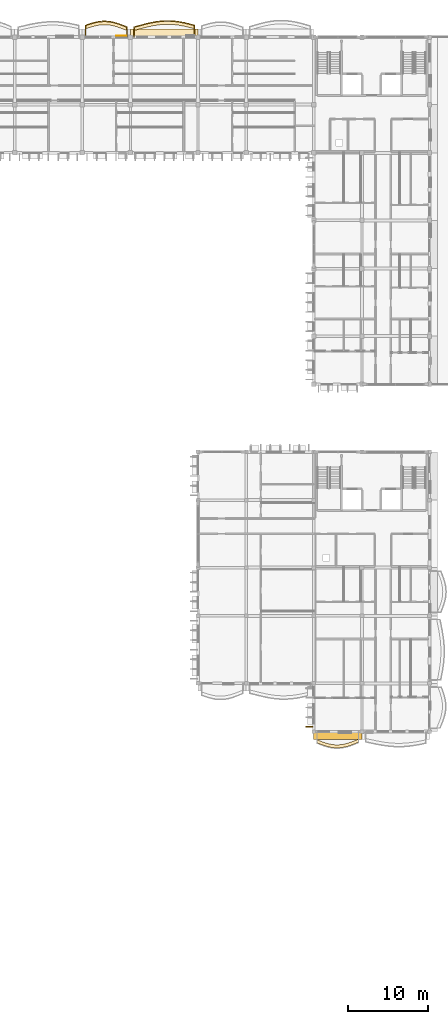
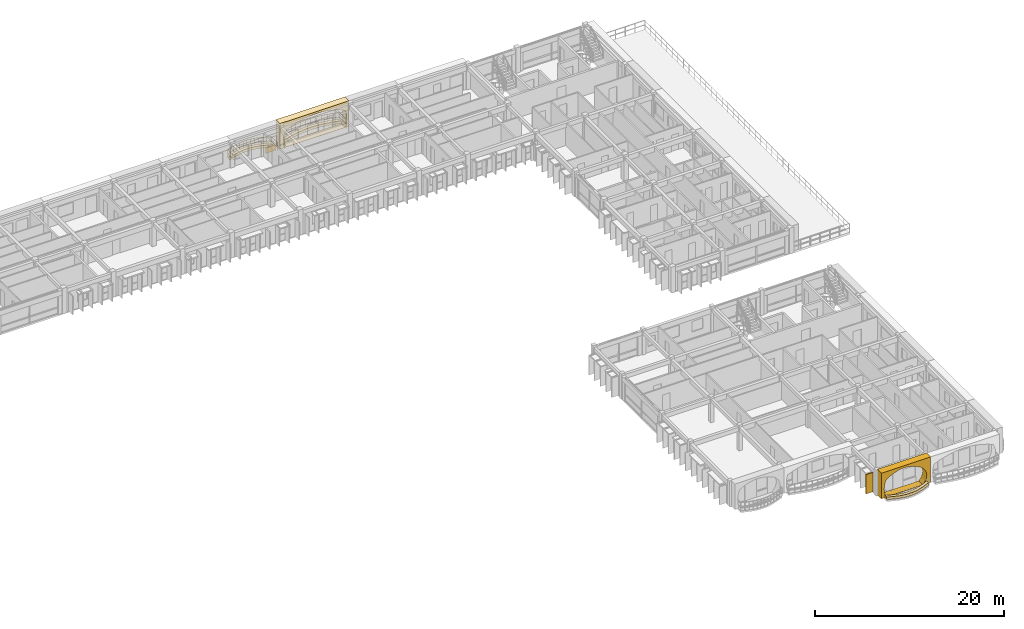
# One storey, part 61 of 68: 7 coverings, 2 railings.
"""IFC4 building model written with IfcOpenShell, lengths in metres."""

from ifc_helpers import new_model, si_unit, direction, frame, origin, origin_2d, place, context, subcontext, project, spatial, polyline, rectangle, outline, extrude, material, layer, layer_set, type_object, element, save


model = new_model("IFC4")

# Units and contexts
model_context = context("Model", 3, precision=1e-05, world=origin(), true_north=direction((0.0, 1.0)))
body_context = subcontext(model_context, "Body", "Model", "MODEL_VIEW")
ifc_project = project(units=[si_unit("LENGTHUNIT", "METRE"), si_unit("AREAUNIT", "SQUARE_METRE"), si_unit("VOLUMEUNIT", "CUBIC_METRE"), si_unit("PLANEANGLEUNIT", "RADIAN"), si_unit("MASSUNIT", "GRAM", prefix="KILO"), si_unit("THERMODYNAMICTEMPERATUREUNIT", "KELVIN")], contexts=[model_context])

# Site, building, storey
site_placement = place(None, origin())
site = spatial("IfcSite", under=ifc_project, at=site_placement, CompositionType="ELEMENT")
building_placement = place(site_placement, origin())
building = spatial("IfcBuilding", under=site, at=building_placement, Name="Thalorik Housing Commons", CompositionType="ELEMENT")
storey_placement = place(building_placement, frame((0.0, 0.0, 24.60009765625)))
storey = spatial("IfcBuildingStorey", under=building, at=storey_placement, Name="L07", CompositionType="ELEMENT", Elevation=24.60009765625)

# Coverings
ifc_material_1 = material(Name="Precast concrete C40/50", Category="concrete")
ifc_layer_1 = layer(ifc_material_1, 0.85009765625, Name="Precast concrete C40/50", Category="concrete")
ifc_layer_set_1 = layer_set([ifc_layer_1], Name="Precast concrete C40/50")
covering_type_1 = type_object("IfcCoveringType", Name="ARC-CLD-CUSH-850", PredefinedType="CLADDING", material=ifc_layer_set_1)
covering_1_placement = place(storey_placement, frame((133.800048828125, 124.155029296875, 0.0), z_axis=(0.0, 0.0, 1.0), x_axis=(-1.0, 0.0, 0.0)))
element("IfcCovering", 1, at=covering_1_placement, inside=storey, type_object=covering_type_1, Name="L07 White Precast Curved Cushion Bay Frame 2563", PredefinedType="CLADDING", context=body_context, shape_type="SweptSolid", body=[
    extrude(outline(polyline([(-4.199951171875, 0.0), (4.199951171875, 0.0), (4.199951171875, 3.300048828125), (-4.199951171875, 3.300048828125), (-4.199951171875, 0.0)]), holes=[polyline([(3.41259765625, 0.02490234375), (3.60009765625, 0.390869140625), (3.71240234375, 0.756591796875), (3.75, 1.12255859375), (3.71240234375, 1.48828125), (3.60009765625, 1.854248046875), (3.41259765625, 2.219970703125), (2.814453125, 2.469482421875), (2.21630859375, 2.66552734375), (1.6181640625, 2.824462890625), (1.02001953125, 2.9423828125), (0.421875, 3.015380859375), (-0.17626953125, 3.0400390625), (-0.7744140625, 3.015380859375), (-1.37255859375, 2.9423828125), (-1.970703125, 2.824462890625), (-2.56884765625, 2.66552734375), (-3.1669921875, 2.469482421875), (-3.764892578125, 2.219970703125), (-3.856689453125, 1.854248046875), (-3.911865234375, 1.48828125), (-3.930419921875, 1.12255859375), (-3.911865234375, 0.756591796875), (-3.856689453125, 0.390869140625), (-3.764892578125, 0.02490234375), (3.41259765625, 0.02490234375)])]), frame((0.0, 0.425048828125, 0.0), z_axis=(0.0, -1.0, 0.0), x_axis=(1.0, 0.0, 0.0)), (0.0, 0.0, 1.0), 0.85009765625),
])
covering_2_placement = place(storey_placement, frame((155.39990234375, 36.657470703125, 0.0), z_axis=(0.0, 0.0, 1.0), x_axis=(1.0, 0.0, 0.0)))
element("IfcCovering", 2, at=covering_2_placement, inside=storey, type_object=covering_type_1, Name="L07 White Precast Curved Cushion Bay Frame 5030", PredefinedType="CLADDING", context=body_context, shape_type="SweptSolid", body=[
    extrude(outline(polyline([(-3.0, 0.0), (3.0, 0.0), (3.0, 3.300048828125), (-3.0, 3.300048828125), (-3.0, 0.0)]), holes=[polyline([(2.0400390625, 0.02490234375), (2.3232421875, 0.390869140625), (2.493408203125, 0.756591796875), (2.550048828125, 1.12255859375), (2.493408203125, 1.48828125), (2.3232421875, 1.854248046875), (2.0400390625, 2.219970703125), (1.66748046875, 2.469482421875), (1.294921875, 2.66552734375), (0.922607421875, 2.824462890625), (0.550048828125, 2.9423828125), (0.177490234375, 3.015380859375), (-0.195068359375, 3.0400390625), (-0.5673828125, 3.015380859375), (-0.93994140625, 2.9423828125), (-1.3125, 2.824462890625), (-1.68505859375, 2.66552734375), (-2.0576171875, 2.469482421875), (-2.429931640625, 2.219970703125), (-2.55029296875, 1.854248046875), (-2.62255859375, 1.48828125), (-2.646484375, 1.12255859375), (-2.62255859375, 0.756591796875), (-2.55029296875, 0.390869140625), (-2.429931640625, 0.02490234375), (2.0400390625, 0.02490234375)])]), frame((0.0, 0.425048828125, 0.0), z_axis=(0.0, -1.0, 0.0), x_axis=(1.0, 0.0, 0.0)), (0.0, 0.0, 1.0), 0.85009765625),
])
ifc_layer_2 = layer(ifc_material_1, 0.85009765625, Name="Precast concrete C40/50", Category="concrete")
ifc_layer_set_2 = layer_set([ifc_layer_2], Name="Precast concrete C40/50")
covering_type_2 = type_object("IfcCoveringType", Name="ARC-CLD-FIN-850", PredefinedType="CLADDING", material=ifc_layer_set_2)
covering_3_placement = place(storey_placement, frame((151.857421875, 37.800048828125, 0.039794921875), z_axis=(0.0, 0.0, 1.0), x_axis=(0.0, -1.0, 0.0)))
element("IfcCovering", 3, at=covering_3_placement, inside=storey, type_object=covering_type_2, Name="L07 Courtyard Precast Vertical Brise-Soleil Fin 5027", PredefinedType="CLADDING", context=body_context, shape_type="SweptSolid", body=[
    extrude(rectangle(XDim=0.110107421875, YDim=0.85009765625, at=origin_2d()), origin(), (0.0, 0.0, 1.0), 2.4951171875),
])
ifc_material_2 = material(Name="Terracotta red mineral fibre-cement panel", Category="masonry")
ifc_layer_3 = layer(ifc_material_2, 0.054931640625, Name="Terracotta red mineral fibre-cement panel", Category="masonry")
ifc_layer_set_3 = layer_set([ifc_layer_3], Name="Terracotta red mineral fibre-cement panel")
covering_type_3 = type_object("IfcCoveringType", Name="ARC-CLD-RED-55", PredefinedType="CLADDING", material=ifc_layer_set_3)
covering_4_placement = place(storey_placement, frame((128.44970703125, 123.762451171875, 0.0498046875), z_axis=(0.0, 0.0, 1.0), x_axis=(-1.0, 0.0, 0.0)))
element("IfcCovering", 4, at=covering_4_placement, inside=storey, type_object=covering_type_3, Name="L07 De Stijl Recessed Window Spandrel 2566", PredefinedType="CLADDING", context=body_context, shape_type="SweptSolid", body=[
    extrude(rectangle(XDim=1.199951171875, YDim=0.054931640625, at=origin_2d()), origin(), (0.0, 0.0, 1.0), 0.699951171875),
])
ifc_material_3 = material(Name="Planted vegetated substrate and terracotta trough", Category="masonry")
ifc_layer_4 = layer(ifc_material_3, 0.340087890625, Name="Planted vegetated substrate and terracotta trough", Category="masonry")
ifc_layer_set_4 = layer_set([ifc_layer_4], Name="Planted vegetated substrate and terracotta trough")
covering_type_4 = type_object("IfcCoveringType", Name="ARC-COV-PLANTER", PredefinedType="USERDEFINED", material=ifc_layer_set_4)
covering_5_placement = place(storey_placement, origin())
element("IfcCovering", 5, at=covering_5_placement, inside=storey, type_object=covering_type_4, Name="L07 Balcony Slab-Edge Planted Trough 5508", ObjectType="PLANTER", PredefinedType="USERDEFINED", context=body_context, shape_type="SweptSolid", body=[
    extrude(outline(polyline([(129.179931640625, 124.79150390625), (128.75, 124.96142578125), (128.320068359375, 125.123779296875), (127.889892578125, 125.268310546875), (127.4599609375, 125.385498046875), (127.030029296875, 125.468017578125), (126.60009765625, 125.510986328125), (126.169921875, 125.51220703125), (125.739990234375, 125.47265625), (125.31005859375, 125.395263671875), (124.8798828125, 125.2861328125), (124.449951171875, 125.1533203125), (124.02001953125, 125.00634765625), (124.02001953125, 124.62646484375), (124.449951171875, 124.7734375), (124.8798828125, 124.90625), (125.31005859375, 125.01513671875), (125.739990234375, 125.092529296875), (126.169921875, 125.13232421875), (126.60009765625, 125.131103515625), (127.030029296875, 125.087890625), (127.4599609375, 125.00537109375), (127.889892578125, 124.88818359375), (128.320068359375, 124.743896484375), (128.75, 124.581298828125), (129.179931640625, 124.41162109375), (129.179931640625, 124.79150390625)])), origin(), (0.0, 0.0, 1.0), 0.33984375),
])
covering_6_placement = place(storey_placement, origin())
element("IfcCovering", 6, at=covering_6_placement, inside=storey, type_object=covering_type_4, Name="L07 Balcony Slab-Edge Planted Trough 5509", ObjectType="PLANTER", PredefinedType="USERDEFINED", context=body_context, shape_type="SweptSolid", body=[
    extrude(outline(polyline([(137.580078125, 125.0048828125), (136.949951171875, 125.174072265625), (136.320068359375, 125.323486328125), (135.68994140625, 125.443359375), (135.06005859375, 125.525390625), (134.429931640625, 125.563720703125), (133.800048828125, 125.556396484375), (133.169921875, 125.504150390625), (132.5400390625, 125.410400390625), (131.909912109375, 125.281982421875), (131.280029296875, 125.127685546875), (130.64990234375, 124.95849609375), (130.02001953125, 124.785888671875), (130.02001953125, 124.40576171875), (130.64990234375, 124.57861328125), (131.280029296875, 124.747802734375), (131.909912109375, 124.90185546875), (132.5400390625, 125.030517578125), (133.169921875, 125.1240234375), (133.800048828125, 125.176513671875), (134.429931640625, 125.183837890625), (135.06005859375, 125.145263671875), (135.68994140625, 125.0634765625), (136.320068359375, 124.943603515625), (136.949951171875, 124.794189453125), (137.580078125, 124.625), (137.580078125, 125.0048828125)])), origin(), (0.0, 0.0, 1.0), 0.33984375),
])
covering_7_placement = place(storey_placement, origin())
element("IfcCovering", 7, at=covering_7_placement, inside=storey, type_object=covering_type_4, Name="L07 Balcony Slab-Edge Planted Trough 5692", ObjectType="PLANTER", PredefinedType="USERDEFINED", context=body_context, shape_type="SweptSolid", body=[
    extrude(outline(polyline([(152.820068359375, 35.8125), (153.25, 35.640869140625), (153.679931640625, 35.4833984375), (154.110107421875, 35.35107421875), (154.5400390625, 35.251953125), (154.969970703125, 35.193359375), (155.39990234375, 35.17919921875), (155.830078125, 35.210205078125), (156.260009765625, 35.285400390625), (156.68994140625, 35.399658203125), (157.1201171875, 35.545654296875), (157.550048828125, 35.71435546875), (157.97998046875, 35.894775390625), (157.97998046875, 36.27490234375), (157.550048828125, 36.09423828125), (157.1201171875, 35.92578125), (156.68994140625, 35.779541015625), (156.260009765625, 35.665283203125), (155.830078125, 35.59033203125), (155.39990234375, 35.55908203125), (154.969970703125, 35.5732421875), (154.5400390625, 35.632080078125), (154.110107421875, 35.73095703125), (153.679931640625, 35.863525390625), (153.25, 36.02099609375), (152.820068359375, 36.192626953125), (152.820068359375, 35.8125)])), origin(), (0.0, 0.0, 1.0), 0.33984375),
])

# Railings
ifc_material_4 = material(Name="Steel S355", Category="steel")
railing_type_1 = type_object("IfcRailingType", Name="ARC-RL-BAL-112", PredefinedType="BALUSTRADE", material=ifc_material_4)
railing_1_placement = place(storey_placement, frame((129.179931640625, 123.60009765625, 0.0)))
element("IfcRailing", 8, at=railing_1_placement, inside=storey, type_object=railing_type_1, Name="L07 Cushion Balcony Guardrail 192", PredefinedType="BALUSTRADE", context=body_context, shape_type="SweptSolid", body=[
    extrude(rectangle(XDim=0.050048828125, YDim=0.050048828125, at=origin_2d()), frame((0.0, 0.0, 1.09521484375), z_axis=(0.0, 1.0, 0.0), x_axis=(-1.0, 0.0, 0.0)), (0.0, 0.0, 1.0), 1.261474609375),
    extrude(rectangle(XDim=0.050048828125, YDim=0.050048828125, at=origin_2d()), frame((0.0, 0.0, 0.53515625), z_axis=(0.0, 1.0, 0.0), x_axis=(-1.0, 0.0, 0.0)), (0.0, 0.0, 1.0), 1.261474609375),
    extrude(rectangle(XDim=0.050048828125, YDim=0.050048828125, at=origin_2d()), frame((0.0, 1.261474609375, 1.09521484375), z_axis=(-0.929998507848, 0.367563294414, 0.0), x_axis=(-0.367563294414, -0.929998507848, 0.0)), (0.0, 0.0, 1.0), 0.46240234375),
    extrude(rectangle(XDim=0.050048828125, YDim=0.050048828125, at=origin_2d()), frame((0.0, 1.261474609375, 0.53515625), z_axis=(-0.929998507848, 0.367563294414, 0.0), x_axis=(-0.367563294414, -0.929998507848, 0.0)), (0.0, 0.0, 1.0), 0.46240234375),
    extrude(rectangle(XDim=0.050048828125, YDim=0.050048828125, at=origin_2d()), frame((-0.429931640625, 1.431396484375, 1.09521484375), z_axis=(-0.935518919321, 0.353276593611, 0.0), x_axis=(-0.353276593611, -0.935518919321, 0.0)), (0.0, 0.0, 1.0), 0.45947265625),
    extrude(rectangle(XDim=0.050048828125, YDim=0.050048828125, at=origin_2d()), frame((-0.429931640625, 1.431396484375, 0.53515625), z_axis=(-0.935518919321, 0.353276593611, 0.0), x_axis=(-0.353276593611, -0.935518919321, 0.0)), (0.0, 0.0, 1.0), 0.45947265625),
    extrude(rectangle(XDim=0.050048828125, YDim=0.050048828125, at=origin_2d()), frame((-0.85986328125, 1.59375, 1.09521484375), z_axis=(-0.948089752806, 0.318002862604, 0.0), x_axis=(-0.318002862604, -0.948089752806, 0.0)), (0.0, 0.0, 1.0), 0.45361328125),
    extrude(rectangle(XDim=0.050048828125, YDim=0.050048828125, at=origin_2d()), frame((-0.85986328125, 1.59375, 0.53515625), z_axis=(-0.948089752806, 0.318002862604, 0.0), x_axis=(-0.318002862604, -0.948089752806, 0.0)), (0.0, 0.0, 1.0), 0.45361328125),
    extrude(rectangle(XDim=0.050048828125, YDim=0.050048828125, at=origin_2d()), frame((-1.2900390625, 1.738037109375, 1.09521484375), z_axis=(-0.96480174078, 0.262978327981, 0.0), x_axis=(-0.262978327981, -0.96480174078, 0.0)), (0.0, 0.0, 1.0), 0.445556640625),
    extrude(rectangle(XDim=0.050048828125, YDim=0.050048828125, at=origin_2d()), frame((-1.2900390625, 1.738037109375, 0.53515625), z_axis=(-0.96480174078, 0.262978327981, 0.0), x_axis=(-0.262978327981, -0.96480174078, 0.0)), (0.0, 0.0, 1.0), 0.445556640625),
    extrude(rectangle(XDim=0.050048828125, YDim=0.050048828125, at=origin_2d()), frame((-1.719970703125, 1.855224609375, 1.09521484375), z_axis=(-0.98197063341, 0.189033529089, 0.0), x_axis=(-0.189033529089, -0.98197063341, 0.0)), (0.0, 0.0, 1.0), 0.437744140625),
    extrude(rectangle(XDim=0.050048828125, YDim=0.050048828125, at=origin_2d()), frame((-1.719970703125, 1.855224609375, 0.53515625), z_axis=(-0.98197063341, 0.189033529089, 0.0), x_axis=(-0.189033529089, -0.98197063341, 0.0)), (0.0, 0.0, 1.0), 0.437744140625),
    extrude(rectangle(XDim=0.050048828125, YDim=0.050048828125, at=origin_2d()), frame((-2.14990234375, 1.93798828125, 1.09521484375), z_axis=(-0.995042783134, 0.099447773896, 0.0), x_axis=(-0.099447773896, -0.995042783134, 0.0)), (0.0, 0.0, 1.0), 0.43212890625),
    extrude(rectangle(XDim=0.050048828125, YDim=0.050048828125, at=origin_2d()), frame((-2.14990234375, 1.93798828125, 0.53515625), z_axis=(-0.995042783134, 0.099447773896, 0.0), x_axis=(-0.099447773896, -0.995042783134, 0.0)), (0.0, 0.0, 1.0), 0.43212890625),
    extrude(rectangle(XDim=0.050048828125, YDim=0.050048828125, at=origin_2d()), frame((-2.579833984375, 1.98095703125, 1.09521484375), z_axis=(-0.999995973798, 0.002837673024, 0.0), x_axis=(-0.002837673024, -0.999995973798, 0.0)), (0.0, 0.0, 1.0), 0.43017578125),
    extrude(rectangle(XDim=0.050048828125, YDim=0.050048828125, at=origin_2d()), frame((-2.579833984375, 1.98095703125, 0.53515625), z_axis=(-0.999995973798, 0.002837673024, 0.0), x_axis=(-0.002837673024, -0.999995973798, 0.0)), (0.0, 0.0, 1.0), 0.43017578125),
    extrude(rectangle(XDim=0.050048828125, YDim=0.050048828125, at=origin_2d()), frame((-3.010009765625, 1.982177734375, 1.09521484375), z_axis=(-0.995743557497, -0.092167064095, 0.0), x_axis=(0.092167064095, -0.995743557497, 0.0)), (0.0, 0.0, 1.0), 0.431884765625),
    extrude(rectangle(XDim=0.050048828125, YDim=0.050048828125, at=origin_2d()), frame((-3.010009765625, 1.982177734375, 0.53515625), z_axis=(-0.995743557497, -0.092167064095, 0.0), x_axis=(0.092167064095, -0.995743557497, 0.0)), (0.0, 0.0, 1.0), 0.431884765625),
    extrude(rectangle(XDim=0.050048828125, YDim=0.050048828125, at=origin_2d()), frame((-3.43994140625, 1.9423828125, 1.09521484375), z_axis=(-0.984181375101, -0.177163825047, 0.0), x_axis=(0.177163825047, -0.984181375101, 0.0)), (0.0, 0.0, 1.0), 0.436767578125),
    extrude(rectangle(XDim=0.050048828125, YDim=0.050048828125, at=origin_2d()), frame((-3.43994140625, 1.9423828125, 0.53515625), z_axis=(-0.984181375101, -0.177163825047, 0.0), x_axis=(0.177163825047, -0.984181375101, 0.0)), (0.0, 0.0, 1.0), 0.436767578125),
    extrude(rectangle(XDim=0.050048828125, YDim=0.050048828125, at=origin_2d()), frame((-3.869873046875, 1.864990234375, 1.09521484375), z_axis=(-0.969426315346, -0.245382597415, 0.0), x_axis=(0.245382597415, -0.969426315346, 0.0)), (0.0, 0.0, 1.0), 0.44384765625),
    extrude(rectangle(XDim=0.050048828125, YDim=0.050048828125, at=origin_2d()), frame((-3.869873046875, 1.864990234375, 0.53515625), z_axis=(-0.969426315346, -0.245382597415, 0.0), x_axis=(0.245382597415, -0.969426315346, 0.0)), (0.0, 0.0, 1.0), 0.44384765625),
    extrude(rectangle(XDim=0.050048828125, YDim=0.050048828125, at=origin_2d()), frame((-4.300048828125, 1.756103515625, 1.09521484375), z_axis=(-0.955449943184, -0.295153190853, 0.0), x_axis=(0.295153190853, -0.955449943184, 0.0)), (0.0, 0.0, 1.0), 0.449951171875),
    extrude(rectangle(XDim=0.050048828125, YDim=0.050048828125, at=origin_2d()), frame((-4.300048828125, 1.756103515625, 0.53515625), z_axis=(-0.955449943184, -0.295153190853, 0.0), x_axis=(0.295153190853, -0.955449943184, 0.0)), (0.0, 0.0, 1.0), 0.449951171875),
    extrude(rectangle(XDim=0.050048828125, YDim=0.050048828125, at=origin_2d()), frame((-4.72998046875, 1.623291015625, 1.09521484375), z_axis=(-0.946237580977, -0.323472472316, 0.0), x_axis=(0.323472472316, -0.946237580977, 0.0)), (0.0, 0.0, 1.0), 0.454345703125),
    extrude(rectangle(XDim=0.050048828125, YDim=0.050048828125, at=origin_2d()), frame((-4.72998046875, 1.623291015625, 0.53515625), z_axis=(-0.946237580977, -0.323472472316, 0.0), x_axis=(0.323472472316, -0.946237580977, 0.0)), (0.0, 0.0, 1.0), 0.454345703125),
    extrude(rectangle(XDim=0.050048828125, YDim=0.050048828125, at=origin_2d()), frame((-5.159912109375, 1.476318359375, 1.09521484375), z_axis=(0.0, -1.0, 0.0), x_axis=(1.0, 0.0, 0.0)), (0.0, 0.0, 1.0), 1.476318359375),
    extrude(rectangle(XDim=0.050048828125, YDim=0.050048828125, at=origin_2d()), frame((-5.159912109375, 1.476318359375, 0.53515625), z_axis=(0.0, -1.0, 0.0), x_axis=(1.0, 0.0, 0.0)), (0.0, 0.0, 1.0), 1.476318359375),
    extrude(rectangle(XDim=0.0419921875, YDim=0.0419921875, at=origin_2d()), origin(), (0.0, 0.0, 1.0), 1.070068359375),
    extrude(rectangle(XDim=0.0419921875, YDim=0.0419921875, at=origin_2d()), frame((0.0, 1.261474609375, 0.0)), (0.0, 0.0, 1.0), 1.070068359375),
    extrude(rectangle(XDim=0.0419921875, YDim=0.0419921875, at=origin_2d()), frame((-0.429931640625, 1.431396484375, 0.0)), (0.0, 0.0, 1.0), 1.070068359375),
    extrude(rectangle(XDim=0.0419921875, YDim=0.0419921875, at=origin_2d()), frame((-0.85986328125, 1.59375, 0.0)), (0.0, 0.0, 1.0), 1.070068359375),
    extrude(rectangle(XDim=0.0419921875, YDim=0.0419921875, at=origin_2d()), frame((-1.2900390625, 1.738037109375, 0.0)), (0.0, 0.0, 1.0), 1.070068359375),
    extrude(rectangle(XDim=0.0419921875, YDim=0.0419921875, at=origin_2d()), frame((-1.719970703125, 1.855224609375, 0.0)), (0.0, 0.0, 1.0), 1.070068359375),
    extrude(rectangle(XDim=0.0419921875, YDim=0.0419921875, at=origin_2d()), frame((-2.14990234375, 1.93798828125, 0.0)), (0.0, 0.0, 1.0), 1.070068359375),
    extrude(rectangle(XDim=0.0419921875, YDim=0.0419921875, at=origin_2d()), frame((-2.579833984375, 1.98095703125, 0.0)), (0.0, 0.0, 1.0), 1.070068359375),
    extrude(rectangle(XDim=0.0419921875, YDim=0.0419921875, at=origin_2d()), frame((-3.010009765625, 1.982177734375, 0.0)), (0.0, 0.0, 1.0), 1.070068359375),
    extrude(rectangle(XDim=0.0419921875, YDim=0.0419921875, at=origin_2d()), frame((-3.43994140625, 1.9423828125, 0.0)), (0.0, 0.0, 1.0), 1.070068359375),
    extrude(rectangle(XDim=0.0419921875, YDim=0.0419921875, at=origin_2d()), frame((-3.869873046875, 1.864990234375, 0.0)), (0.0, 0.0, 1.0), 1.070068359375),
    extrude(rectangle(XDim=0.0419921875, YDim=0.0419921875, at=origin_2d()), frame((-4.300048828125, 1.756103515625, 0.0)), (0.0, 0.0, 1.0), 1.070068359375),
    extrude(rectangle(XDim=0.0419921875, YDim=0.0419921875, at=origin_2d()), frame((-4.72998046875, 1.623291015625, 0.0)), (0.0, 0.0, 1.0), 1.070068359375),
    extrude(rectangle(XDim=0.0419921875, YDim=0.0419921875, at=origin_2d()), frame((-5.159912109375, 1.476318359375, 0.0)), (0.0, 0.0, 1.0), 1.070068359375),
    extrude(rectangle(XDim=0.0419921875, YDim=0.0419921875, at=origin_2d()), frame((-5.159912109375, 0.0, 0.0)), (0.0, 0.0, 1.0), 1.070068359375),
])
railing_type_2 = type_object("IfcRailingType", Name="ARC-RL-BAL-115", PredefinedType="BALUSTRADE", material=ifc_material_4)
railing_2_placement = place(storey_placement, frame((137.580078125, 123.60009765625, 0.0)))
element("IfcRailing", 9, at=railing_2_placement, inside=storey, type_object=railing_type_2, Name="L07 Cushion Balcony Guardrail 193", PredefinedType="BALUSTRADE", context=body_context, shape_type="SweptSolid", body=[
    extrude(rectangle(XDim=0.050048828125, YDim=0.050048828125, at=origin_2d()), frame((0.0, 0.0, 1.125), z_axis=(0.0, 1.0, 0.0), x_axis=(-1.0, 0.0, 0.0)), (0.0, 0.0, 1.0), 1.474853515625),
    extrude(rectangle(XDim=0.050048828125, YDim=0.050048828125, at=origin_2d()), frame((0.0, 0.0, 0.5498046875), z_axis=(0.0, 1.0, 0.0), x_axis=(-1.0, 0.0, 0.0)), (0.0, 0.0, 1.0), 1.474853515625),
    extrude(rectangle(XDim=0.050048828125, YDim=0.050048828125, at=origin_2d()), frame((0.0, 1.474853515625, 1.125), z_axis=(-0.965792566716, 0.259315865453, 0.0), x_axis=(-0.259315865453, -0.965792566716, 0.0)), (0.0, 0.0, 1.0), 0.65234375),
    extrude(rectangle(XDim=0.050048828125, YDim=0.050048828125, at=origin_2d()), frame((0.0, 1.474853515625, 0.5498046875), z_axis=(-0.965792566716, 0.259315865453, 0.0), x_axis=(-0.259315865453, -0.965792566716, 0.0)), (0.0, 0.0, 1.0), 0.65234375),
    extrude(rectangle(XDim=0.050048828125, YDim=0.050048828125, at=origin_2d()), frame((-0.630126953125, 1.64404296875, 1.125), z_axis=(-0.973000103625, 0.230804675744, 0.0), x_axis=(-0.230804675744, -0.973000103625, 0.0)), (0.0, 0.0, 1.0), 0.6474609375),
    extrude(rectangle(XDim=0.050048828125, YDim=0.050048828125, at=origin_2d()), frame((-0.630126953125, 1.64404296875, 0.5498046875), z_axis=(-0.973000103625, 0.230804675744, 0.0), x_axis=(-0.230804675744, -0.973000103625, 0.0)), (0.0, 0.0, 1.0), 0.6474609375),
    extrude(rectangle(XDim=0.050048828125, YDim=0.050048828125, at=origin_2d()), frame((-1.260009765625, 1.79345703125, 1.125), z_axis=(-0.982381849239, 0.186884729941, 0.0), x_axis=(-0.186884729941, -0.982381849239, 0.0)), (0.0, 0.0, 1.0), 0.641357421875),
    extrude(rectangle(XDim=0.050048828125, YDim=0.050048828125, at=origin_2d()), frame((-1.260009765625, 1.79345703125, 0.5498046875), z_axis=(-0.982381849239, 0.186884729941, 0.0), x_axis=(-0.186884729941, -0.982381849239, 0.0)), (0.0, 0.0, 1.0), 0.641357421875),
    extrude(rectangle(XDim=0.050048828125, YDim=0.050048828125, at=origin_2d()), frame((-1.89013671875, 1.913330078125, 1.125), z_axis=(-0.9916752609, 0.128764035815, 0.0), x_axis=(-0.128764035815, -0.9916752609, 0.0)), (0.0, 0.0, 1.0), 0.63525390625),
    extrude(rectangle(XDim=0.050048828125, YDim=0.050048828125, at=origin_2d()), frame((-1.89013671875, 1.913330078125, 0.5498046875), z_axis=(-0.9916752609, 0.128764035815, 0.0), x_axis=(-0.128764035815, -0.9916752609, 0.0)), (0.0, 0.0, 1.0), 0.63525390625),
    extrude(rectangle(XDim=0.050048828125, YDim=0.050048828125, at=origin_2d()), frame((-2.52001953125, 1.9951171875, 1.125), z_axis=(-0.998131514932, 0.061102200449, 0.0), x_axis=(-0.061102200449, -0.998131514932, 0.0)), (0.0, 0.0, 1.0), 0.63134765625),
    extrude(rectangle(XDim=0.050048828125, YDim=0.050048828125, at=origin_2d()), frame((-2.52001953125, 1.9951171875, 0.5498046875), z_axis=(-0.998131514932, 0.061102200449, 0.0), x_axis=(-0.061102200449, -0.998131514932, 0.0)), (0.0, 0.0, 1.0), 0.63134765625),
    extrude(rectangle(XDim=0.050048828125, YDim=0.050048828125, at=origin_2d()), frame((-3.150146484375, 2.03369140625, 1.125), z_axis=(-0.999932402744, -0.011627120962, 0.0), x_axis=(0.011627120962, -0.999932402744, 0.0)), (0.0, 0.0, 1.0), 0.6298828125),
    extrude(rectangle(XDim=0.050048828125, YDim=0.050048828125, at=origin_2d()), frame((-3.150146484375, 2.03369140625, 0.5498046875), z_axis=(-0.999932402744, -0.011627120962, 0.0), x_axis=(0.011627120962, -0.999932402744, 0.0)), (0.0, 0.0, 1.0), 0.6298828125),
    extrude(rectangle(XDim=0.050048828125, YDim=0.050048828125, at=origin_2d()), frame((-3.780029296875, 2.0263671875, 1.125), z_axis=(-0.996580289475, -0.082630058872, 0.0), x_axis=(0.082630058872, -0.996580289475, 0.0)), (0.0, 0.0, 1.0), 0.63232421875),
    extrude(rectangle(XDim=0.050048828125, YDim=0.050048828125, at=origin_2d()), frame((-3.780029296875, 2.0263671875, 0.5498046875), z_axis=(-0.996580289475, -0.082630058872, 0.0), x_axis=(0.082630058872, -0.996580289475, 0.0)), (0.0, 0.0, 1.0), 0.63232421875),
    extrude(rectangle(XDim=0.050048828125, YDim=0.050048828125, at=origin_2d()), frame((-4.41015625, 1.97412109375, 1.125), z_axis=(-0.98910443516, -0.147215543838, 0.0), x_axis=(0.147215543838, -0.98910443516, 0.0)), (0.0, 0.0, 1.0), 0.63671875),
    extrude(rectangle(XDim=0.050048828125, YDim=0.050048828125, at=origin_2d()), frame((-4.41015625, 1.97412109375, 0.5498046875), z_axis=(-0.98910443516, -0.147215543838, 0.0), x_axis=(0.147215543838, -0.98910443516, 0.0)), (0.0, 0.0, 1.0), 0.63671875),
    extrude(rectangle(XDim=0.050048828125, YDim=0.050048828125, at=origin_2d()), frame((-5.0400390625, 1.88037109375, 1.125), z_axis=(-0.979784321963, -0.200056698053, 0.0), x_axis=(0.200056698053, -0.979784321963, 0.0)), (0.0, 0.0, 1.0), 0.64306640625),
    extrude(rectangle(XDim=0.050048828125, YDim=0.050048828125, at=origin_2d()), frame((-5.0400390625, 1.88037109375, 0.5498046875), z_axis=(-0.979784321963, -0.200056698053, 0.0), x_axis=(0.200056698053, -0.979784321963, 0.0)), (0.0, 0.0, 1.0), 0.64306640625),
    extrude(rectangle(XDim=0.050048828125, YDim=0.050048828125, at=origin_2d()), frame((-5.670166015625, 1.751708984375, 1.125), z_axis=(-0.971370051234, -0.23757151253, 0.0), x_axis=(0.23757151253, -0.971370051234, 0.0)), (0.0, 0.0, 1.0), 0.6484375),
    extrude(rectangle(XDim=0.050048828125, YDim=0.050048828125, at=origin_2d()), frame((-5.670166015625, 1.751708984375, 0.5498046875), z_axis=(-0.971370051234, -0.23757151253, 0.0), x_axis=(0.23757151253, -0.971370051234, 0.0)), (0.0, 0.0, 1.0), 0.6484375),
    extrude(rectangle(XDim=0.050048828125, YDim=0.050048828125, at=origin_2d()), frame((-6.300048828125, 1.59765625, 1.125), z_axis=(-0.965792566716, -0.259315865453, 0.0), x_axis=(0.259315865453, -0.965792566716, 0.0)), (0.0, 0.0, 1.0), 0.65234375),
    extrude(rectangle(XDim=0.050048828125, YDim=0.050048828125, at=origin_2d()), frame((-6.300048828125, 1.59765625, 0.5498046875), z_axis=(-0.965792566716, -0.259315865453, 0.0), x_axis=(0.259315865453, -0.965792566716, 0.0)), (0.0, 0.0, 1.0), 0.65234375),
    extrude(rectangle(XDim=0.050048828125, YDim=0.050048828125, at=origin_2d()), frame((-6.93017578125, 1.428466796875, 1.125), z_axis=(-0.964348595215, -0.264635195896, 0.0), x_axis=(0.264635195896, -0.964348595215, 0.0)), (0.0, 0.0, 1.0), 0.653076171875),
    extrude(rectangle(XDim=0.050048828125, YDim=0.050048828125, at=origin_2d()), frame((-6.93017578125, 1.428466796875, 0.5498046875), z_axis=(-0.964348595215, -0.264635195896, 0.0), x_axis=(0.264635195896, -0.964348595215, 0.0)), (0.0, 0.0, 1.0), 0.653076171875),
    extrude(rectangle(XDim=0.050048828125, YDim=0.050048828125, at=origin_2d()), frame((-7.56005859375, 1.255615234375, 1.125), z_axis=(0.0, -1.0, 0.0), x_axis=(1.0, 0.0, 0.0)), (0.0, 0.0, 1.0), 1.255615234375),
    extrude(rectangle(XDim=0.050048828125, YDim=0.050048828125, at=origin_2d()), frame((-7.56005859375, 1.255615234375, 0.5498046875), z_axis=(0.0, -1.0, 0.0), x_axis=(1.0, 0.0, 0.0)), (0.0, 0.0, 1.0), 1.255615234375),
    extrude(rectangle(XDim=0.0419921875, YDim=0.0419921875, at=origin_2d()), origin(), (0.0, 0.0, 1.0), 1.099853515625),
    extrude(rectangle(XDim=0.0419921875, YDim=0.0419921875, at=origin_2d()), frame((0.0, 1.474853515625, 0.0)), (0.0, 0.0, 1.0), 1.099853515625),
    extrude(rectangle(XDim=0.0419921875, YDim=0.0419921875, at=origin_2d()), frame((-0.630126953125, 1.64404296875, 0.0)), (0.0, 0.0, 1.0), 1.099853515625),
    extrude(rectangle(XDim=0.0419921875, YDim=0.0419921875, at=origin_2d()), frame((-1.260009765625, 1.79345703125, 0.0)), (0.0, 0.0, 1.0), 1.099853515625),
    extrude(rectangle(XDim=0.0419921875, YDim=0.0419921875, at=origin_2d()), frame((-1.89013671875, 1.913330078125, 0.0)), (0.0, 0.0, 1.0), 1.099853515625),
    extrude(rectangle(XDim=0.0419921875, YDim=0.0419921875, at=origin_2d()), frame((-2.52001953125, 1.9951171875, 0.0)), (0.0, 0.0, 1.0), 1.099853515625),
    extrude(rectangle(XDim=0.0419921875, YDim=0.0419921875, at=origin_2d()), frame((-3.150146484375, 2.03369140625, 0.0)), (0.0, 0.0, 1.0), 1.099853515625),
    extrude(rectangle(XDim=0.0419921875, YDim=0.0419921875, at=origin_2d()), frame((-3.780029296875, 2.0263671875, 0.0)), (0.0, 0.0, 1.0), 1.099853515625),
    extrude(rectangle(XDim=0.0419921875, YDim=0.0419921875, at=origin_2d()), frame((-4.41015625, 1.97412109375, 0.0)), (0.0, 0.0, 1.0), 1.099853515625),
    extrude(rectangle(XDim=0.0419921875, YDim=0.0419921875, at=origin_2d()), frame((-5.0400390625, 1.88037109375, 0.0)), (0.0, 0.0, 1.0), 1.099853515625),
    extrude(rectangle(XDim=0.0419921875, YDim=0.0419921875, at=origin_2d()), frame((-5.670166015625, 1.751708984375, 0.0)), (0.0, 0.0, 1.0), 1.099853515625),
    extrude(rectangle(XDim=0.0419921875, YDim=0.0419921875, at=origin_2d()), frame((-6.300048828125, 1.59765625, 0.0)), (0.0, 0.0, 1.0), 1.099853515625),
    extrude(rectangle(XDim=0.0419921875, YDim=0.0419921875, at=origin_2d()), frame((-6.93017578125, 1.428466796875, 0.0)), (0.0, 0.0, 1.0), 1.099853515625),
    extrude(rectangle(XDim=0.0419921875, YDim=0.0419921875, at=origin_2d()), frame((-7.56005859375, 1.255615234375, 0.0)), (0.0, 0.0, 1.0), 1.099853515625),
    extrude(rectangle(XDim=0.0419921875, YDim=0.0419921875, at=origin_2d()), frame((-7.56005859375, 0.0, 0.0)), (0.0, 0.0, 1.0), 1.099853515625),
])

save(model, "model.ifc")
